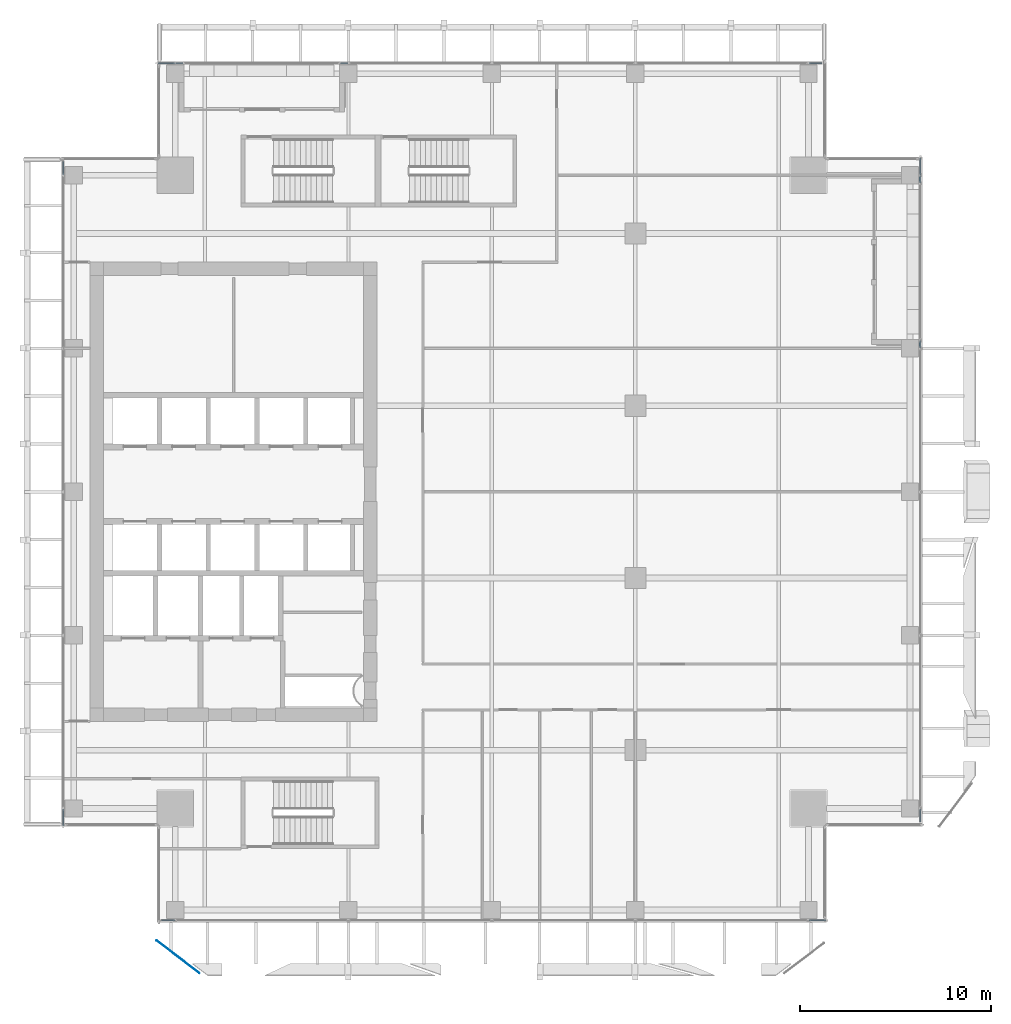
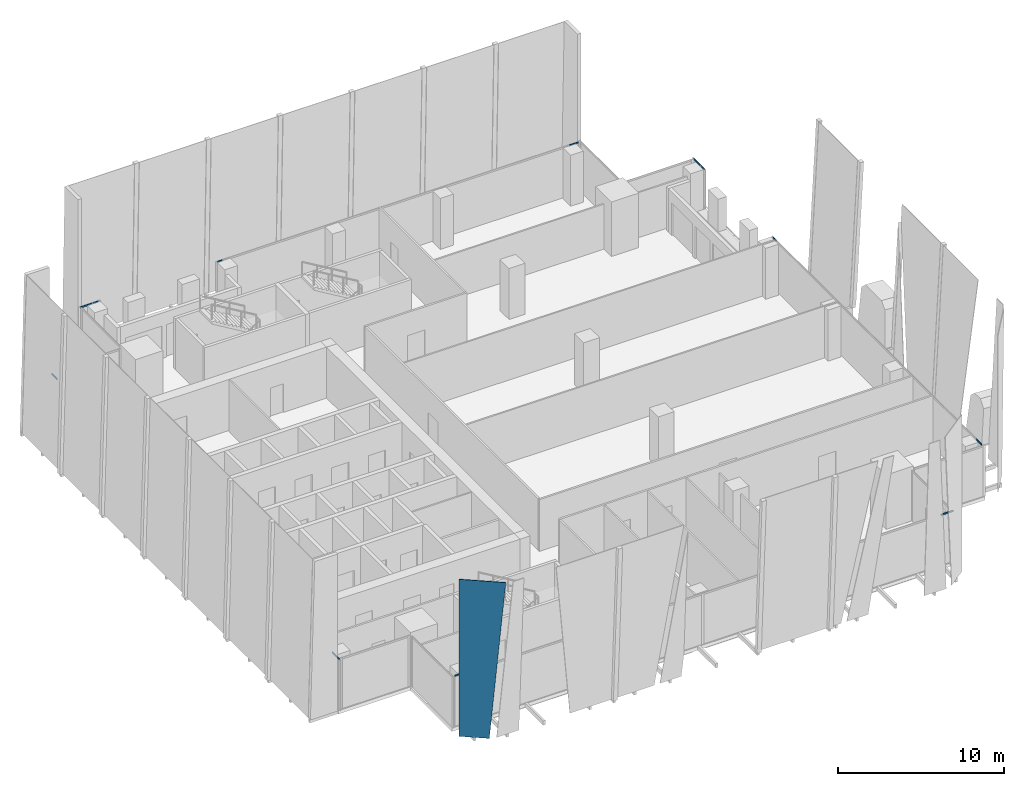
# One storey, part 22 of 35: 12 members, 1 plate, 6 elements without a shape of their own.
"""IFC4 building model written with IfcOpenShell, lengths in metres."""

from ifc_helpers import new_model, si_unit, direction, frame, origin, origin_2d, place, context, subcontext, project, spatial, polyline, hollow_rectangle, outline, extrude, source, transform, mapped, material, layer, layer_set, material_profile, profile_set, type_object, element, aggregate, save


model = new_model("IFC4")

# Units and contexts
model_context = context("Model", 3, precision=1e-05, world=origin(), true_north=direction((0.0, 1.0)))
body_context = subcontext(model_context, "Body", "Model", "MODEL_VIEW")
ifc_project = project(units=[si_unit("LENGTHUNIT", "METRE"), si_unit("AREAUNIT", "SQUARE_METRE"), si_unit("VOLUMEUNIT", "CUBIC_METRE"), si_unit("PLANEANGLEUNIT", "RADIAN"), si_unit("MASSUNIT", "GRAM", prefix="KILO")], contexts=[model_context])

# Site, building, storey
site_placement = place(None, origin())
site = spatial("IfcSite", under=ifc_project, at=site_placement, CompositionType="ELEMENT")
building_placement = place(site_placement, origin())
building = spatial("IfcBuilding", under=site, at=building_placement, Name="Khomas Fold Tower", CompositionType="ELEMENT")
storey_placement = place(building_placement, frame((0.0, 0.0, 246.199951171875)))
storey = spatial("IfcBuildingStorey", under=building, at=storey_placement, Name="L55", CompositionType="ELEMENT", Elevation=246.199951171875)

# Curtain wall, member
ifc_material_1 = material(Name="Aluminium framed double glazing", Category="aluminium")
curtain_wall_type = type_object("IfcCurtainWallType", Name="SK-Unitised clear-glass wall, office floors CW2", PredefinedType="NOTDEFINED", material=ifc_material_1)
curtain_wall_1_placement = place(storey_placement, origin())
curtain_wall_1 = element("IfcCurtainWall", 1, at=curtain_wall_1_placement, inside=storey, type_object=curtain_wall_type, Name="CW2 run L55 00-0", PredefinedType="NOTDEFINED")
ifc_material_2 = material(Name="Aluminium", Category="aluminium")
ifc_material_profile = material_profile(ifc_material_2, hollow_rectangle(XDim=0.050048828125, YDim=0.110107421875, WallThickness=0.00390625, at=origin_2d()), Name="SK-Unitised clear-glass wall, office floors transom CW2-T")
ifc_profile_set = profile_set([ifc_material_profile], Name="Aluminium")
member_type = type_object("IfcMemberType", Name="SK-Unitised clear-glass wall, office floors transom CW2-T", PredefinedType="USERDEFINED", material=ifc_profile_set)
shared_shape_1 = source(origin(), body_context, "Body", "SweptSolid", [
    extrude(hollow_rectangle(XDim=0.050048828125, YDim=0.110107421875, WallThickness=0.00390625, at=origin_2d()), origin(), (0.0, 0.0, 1.0), 0.659912109375),
])
member_1_placement = place(storey_placement, frame((9.760009765625, 4.60009765625, 3.695068359375), z_axis=(1.0, 0.0, 0.0), x_axis=(0.0, 1.0, 0.0)))
member_1 = element("IfcMember", 2, at=member_1_placement, type_object=member_type, Name="CW2 transom 1", ObjectType="TRANSOM", PredefinedType="USERDEFINED", context=body_context, shape_type="MappedRepresentation", body=[
    mapped(shared_shape_1, transform((0.0, 0.0, 0.0))),
])

curtain_wall_2_placement = place(storey_placement, origin())
curtain_wall_2 = element("IfcCurtainWall", 3, at=curtain_wall_2_placement, inside=storey, type_object=curtain_wall_type, Name="CW2 run L55 03-0", PredefinedType="NOTDEFINED")
member_2_placement = place(storey_placement, frame((49.39990234375, 9.760009765625, 3.695068359375), z_axis=(0.0, 1.0, 0.0), x_axis=(-1.0, 0.0, 0.0)))
member_2 = element("IfcMember", 4, at=member_2_placement, type_object=member_type, Name="CW2 transom 1", ObjectType="TRANSOM", PredefinedType="USERDEFINED", context=body_context, shape_type="MappedRepresentation", body=[
    mapped(shared_shape_1, transform((0.0, 0.0, 0.0))),
])

curtain_wall_3_placement = place(storey_placement, origin())
curtain_wall_3 = element("IfcCurtainWall", 5, at=curtain_wall_3_placement, inside=storey, type_object=curtain_wall_type, Name="CW2 run L55 06-0", PredefinedType="NOTDEFINED")
member_3_placement = place(storey_placement, frame((44.239990234375, 49.39990234375, 3.695068359375), z_axis=(-1.0, 0.0, 0.0), x_axis=(0.0, -1.0, 0.0)))
member_3 = element("IfcMember", 6, at=member_3_placement, type_object=member_type, Name="CW2 transom 1", ObjectType="TRANSOM", PredefinedType="USERDEFINED", context=body_context, shape_type="MappedRepresentation", body=[
    mapped(shared_shape_1, transform((0.0, 0.0, 0.0))),
])

curtain_wall_4_placement = place(storey_placement, origin())
curtain_wall_4 = element("IfcCurtainWall", 7, at=curtain_wall_4_placement, inside=storey, type_object=curtain_wall_type, Name="CW2 run L55 09-0", PredefinedType="NOTDEFINED")
member_4_placement = place(storey_placement, frame((4.60009765625, 44.239990234375, 3.695068359375), z_axis=(0.0, -1.0, 0.0), x_axis=(1.0, 0.0, 0.0)))
member_4 = element("IfcMember", 8, at=member_4_placement, type_object=member_type, Name="CW2 transom 1", ObjectType="TRANSOM", PredefinedType="USERDEFINED", context=body_context, shape_type="MappedRepresentation", body=[
    mapped(shared_shape_1, transform((0.0, 0.0, 0.0))),
])

# Member
shared_shape_2 = source(origin(), body_context, "Body", "SweptSolid", [
    extrude(hollow_rectangle(XDim=0.050048828125, YDim=0.110107421875, WallThickness=0.00390625, at=origin_2d()), origin(), (0.0, 0.0, 1.0), 0.85986328125),
])
member_5_placement = place(storey_placement, frame((43.580078125, 4.60009765625, 3.695068359375), z_axis=(1.0, 0.0, 0.0), x_axis=(0.0, 1.0, 0.0)))
member_5 = element("IfcMember", 9, at=member_5_placement, type_object=member_type, Name="CW2 transom 6", ObjectType="TRANSOM", PredefinedType="USERDEFINED", context=body_context, shape_type="MappedRepresentation", body=[
    mapped(shared_shape_2, transform((0.0, 0.0, 0.0))),
])

aggregate(curtain_wall_1, [member_1, member_5])

# Curtain wall, member
curtain_wall_5_placement = place(storey_placement, origin())
curtain_wall_5 = element("IfcCurtainWall", 10, at=curtain_wall_5_placement, inside=storey, type_object=curtain_wall_type, Name="CW2 run L55 03-1", PredefinedType="NOTDEFINED")
member_6_placement = place(storey_placement, frame((49.39990234375, 43.580078125, 3.695068359375), z_axis=(0.0, 1.0, 0.0), x_axis=(-1.0, 0.0, 0.0)))
member_6 = element("IfcMember", 11, at=member_6_placement, type_object=member_type, Name="CW2 transom 2", ObjectType="TRANSOM", PredefinedType="USERDEFINED", context=body_context, shape_type="MappedRepresentation", body=[
    mapped(shared_shape_2, transform((0.0, 0.0, 0.0))),
])

curtain_wall_6_placement = place(storey_placement, origin())
curtain_wall_6 = element("IfcCurtainWall", 12, at=curtain_wall_6_placement, inside=storey, type_object=curtain_wall_type, Name="CW2 run L55 06-1", PredefinedType="NOTDEFINED")
member_7_placement = place(storey_placement, frame((10.419921875, 49.39990234375, 3.695068359375), z_axis=(-1.0, 0.0, 0.0), x_axis=(0.0, -1.0, 0.0)))
member_7 = element("IfcMember", 13, at=member_7_placement, type_object=member_type, Name="CW2 transom 2", ObjectType="TRANSOM", PredefinedType="USERDEFINED", context=body_context, shape_type="MappedRepresentation", body=[
    mapped(shared_shape_2, transform((0.0, 0.0, 0.0))),
])

# Member
member_8_placement = place(storey_placement, frame((4.60009765625, 10.419921875, 3.695068359375), z_axis=(0.0, -1.0, 0.0), x_axis=(1.0, 0.0, 0.0)))
member_8 = element("IfcMember", 14, at=member_8_placement, type_object=member_type, Name="CW2 transom 6", ObjectType="TRANSOM", PredefinedType="USERDEFINED", context=body_context, shape_type="MappedRepresentation", body=[
    mapped(shared_shape_2, transform((0.0, 0.0, 0.0))),
])

aggregate(curtain_wall_4, [member_4, member_8])

shared_shape_3 = source(origin(), body_context, "Body", "SweptSolid", [
    extrude(hollow_rectangle(XDim=0.050048828125, YDim=0.110107421875, WallThickness=0.00390625, at=origin_2d()), origin(), (0.0, 0.0, 1.0), 0.35986328125),
])
member_9_placement = place(storey_placement, frame((49.39990234375, 34.530029296875, 3.695068359375), z_axis=(0.0, 1.0, 0.0), x_axis=(-1.0, 0.0, 0.0)))
member_9 = element("IfcMember", 15, at=member_9_placement, type_object=member_type, Name="CW2 transom 5", ObjectType="TRANSOM", PredefinedType="USERDEFINED", context=body_context, shape_type="MappedRepresentation", body=[
    mapped(shared_shape_3, transform((0.0, 0.0, 0.0))),
])

aggregate(curtain_wall_2, [member_2, member_9])

member_10_placement = place(storey_placement, frame((19.469970703125, 49.39990234375, 3.695068359375), z_axis=(-1.0, 0.0, 0.0), x_axis=(0.0, -1.0, 0.0)))
member_10 = element("IfcMember", 16, at=member_10_placement, type_object=member_type, Name="CW2 transom 5", ObjectType="TRANSOM", PredefinedType="USERDEFINED", context=body_context, shape_type="MappedRepresentation", body=[
    mapped(shared_shape_3, transform((0.0, 0.0, 0.0))),
])

aggregate(curtain_wall_3, [member_3, member_10])

shared_shape_4 = source(origin(), body_context, "Body", "SweptSolid", [
    extrude(hollow_rectangle(XDim=0.050048828125, YDim=0.110107421875, WallThickness=0.00390625, at=origin_2d()), origin(), (0.0, 0.0, 1.0), 0.360107421875),
])
member_11_placement = place(storey_placement, frame((49.39990234375, 43.159912109375, 3.695068359375), z_axis=(0.0, 1.0, 0.0), x_axis=(-1.0, 0.0, 0.0)))
member_11 = element("IfcMember", 17, at=member_11_placement, type_object=member_type, Name="CW2 transom 1", ObjectType="TRANSOM", PredefinedType="USERDEFINED", context=body_context, shape_type="MappedRepresentation", body=[
    mapped(shared_shape_4, transform((0.0, 0.0, 0.0))),
])

aggregate(curtain_wall_5, [member_11, member_6])

member_12_placement = place(storey_placement, frame((10.840087890625, 49.39990234375, 3.695068359375), z_axis=(-1.0, 0.0, 0.0), x_axis=(0.0, -1.0, 0.0)))
member_12 = element("IfcMember", 18, at=member_12_placement, type_object=member_type, Name="CW2 transom 1", ObjectType="TRANSOM", PredefinedType="USERDEFINED", context=body_context, shape_type="MappedRepresentation", body=[
    mapped(shared_shape_4, transform((0.0, 0.0, 0.0))),
])

aggregate(curtain_wall_6, [member_12, member_7])

# Plate
ifc_material_3 = material(Name="Clear laminated glass", Category="glass")
ifc_layer = layer(ifc_material_3, 0.0400390625)
ifc_layer_set = layer_set([ifc_layer], Name="Clear laminated glass")
plate_type = type_object("IfcPlateType", Name="SK-Clear laminated glass leaf", PredefinedType="SHEET", material=ifc_layer_set)
plate_placement = place(storey_placement, frame((10.93701171875, 2.462158203125, 0.0), z_axis=(0.603550521256, 0.797324757066, 7.79387e-06), x_axis=(-0.797324757091, 0.603550521274, 3.83e-10)))
element("IfcPlate", 19, at=plate_placement, inside=storey, type_object=plate_type, Name="OUTER SKIN glass L55 SG098-2", PredefinedType="SHEET", context=body_context, shape_type="SweptSolid", body=[
    extrude(outline(polyline([(0.0, 0.0), (1.832537239394429, -8.470329472543003e-22), (1.8325372438164538, 11.5500488277742), (-1.002940394072079, 11.550048829561385), (0.0, 0.0)])), origin(), (0.0, 0.0, -1.0), 0.0400390625),
])

save(model, "model.ifc")
